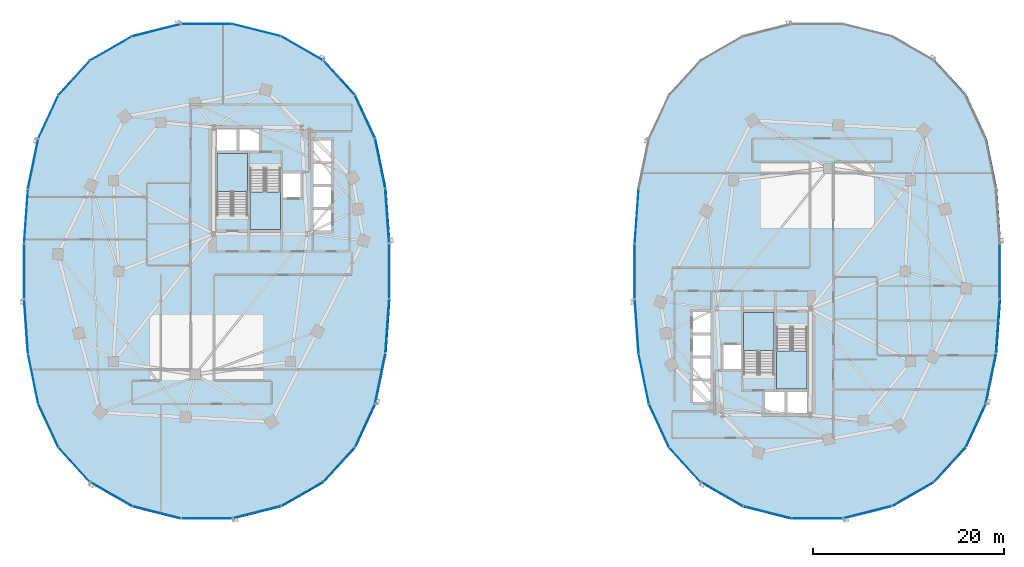
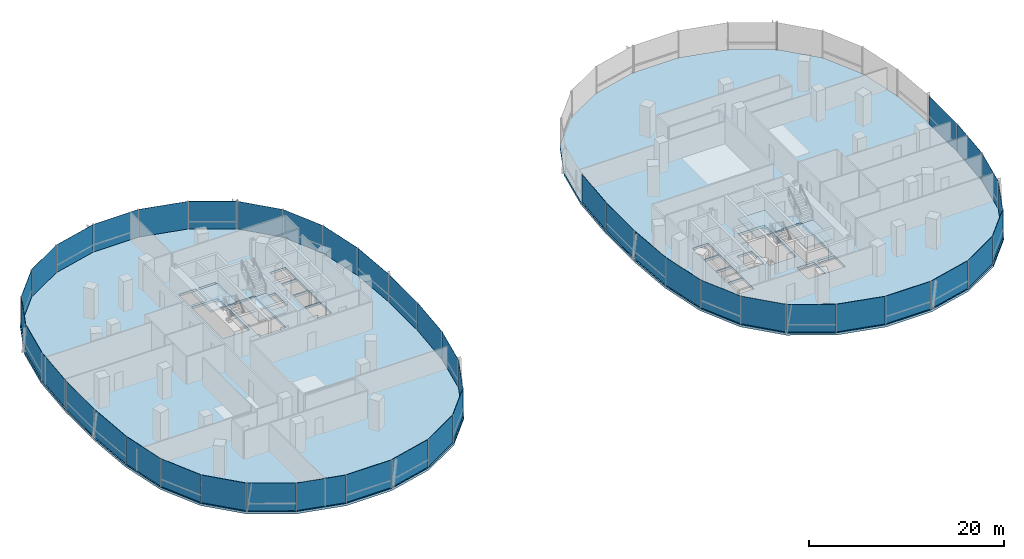
# One storey, part 9 of 21: 44 plates, 6 slabs, 11 elements without a shape of their own.
"""IFC4 building model written with IfcOpenShell, lengths in metres."""

from ifc_helpers import new_model, si_unit, direction, frame, origin, origin_2d, place, context, subcontext, project, spatial, polyline, rectangle, outline, extrude, material, layer, layer_set, type_object, element, aggregate, save


model = new_model("IFC4")

# Units and contexts
model_context = context("Model", 3, precision=1e-05, world=origin(), true_north=direction((0.0, 1.0)))
body_context = subcontext(model_context, "Body", "Model", "MODEL_VIEW")
ifc_project = project(units=[si_unit("LENGTHUNIT", "METRE"), si_unit("AREAUNIT", "SQUARE_METRE"), si_unit("VOLUMEUNIT", "CUBIC_METRE"), si_unit("PLANEANGLEUNIT", "RADIAN"), si_unit("MASSUNIT", "GRAM", prefix="KILO"), si_unit("THERMODYNAMICTEMPERATUREUNIT", "KELVIN"), si_unit("POWERUNIT", "WATT")], contexts=[model_context])

# Site, building, storey
site_placement = place(None, origin())
site = spatial("IfcSite", under=ifc_project, at=site_placement, CompositionType="ELEMENT")
building_placement = place(site_placement, origin())
building = spatial("IfcBuilding", under=site, at=building_placement, Name="Cundina Bronze Exchange", CompositionType="ELEMENT")
storey_placement = place(building_placement, frame((0.0, 0.0, 46.800048828125)))
storey = spatial("IfcBuildingStorey", under=building, at=storey_placement, Name="L11", CompositionType="ELEMENT", Elevation=46.800048828125)

# Curtain wall, plates
ifc_material_1 = material(Name="Anodised Bronze Aluminium 6063-T6", Category="aluminium")
curtain_wall_type = type_object("IfcCurtainWallType", Name="CWS-TRD-LOW", PredefinedType="NOTDEFINED", material=ifc_material_1)
curtain_wall_1_placement = place(storey_placement, origin())
curtain_wall_1 = element("IfcCurtainWall", 1, at=curtain_wall_1_placement, inside=storey, type_object=curtain_wall_type, Name="L11 CW-02 Curtain Wall Run CWR-L11-W1", PredefinedType="NOTDEFINED")
ifc_material_2 = material(Name="Heat-Strengthened Solar-Control Bronze Safety Glass 28mm", Category="glass")
ifc_layer_1 = layer(ifc_material_2, 0.028076171875, Name="Heat-Strengthened Solar-Control Bronze Safety Glass 28mm", Category="glass")
ifc_layer_set_1 = layer_set([ifc_layer_1], Name="Heat-Strengthened Solar-Control Bronze Safety Glass 28mm")
plate_type_1 = type_object("IfcPlateType", Name="PLT-GLZ-VIS28", PredefinedType="CURTAIN_PANEL", material=ifc_layer_set_1)
plate_1_placement = place(storey_placement, frame((-13.0732421875, 5.783935546875, 0.02001953125), z_axis=(0.0, 0.0, 1.0), x_axis=(-0.070278787473, 0.997527389113, 0.0)))
plate_1 = element("IfcPlate", 2, at=plate_1_placement, type_object=plate_type_1, Name="CW-02 Glazed Panel 1", PredefinedType="CURTAIN_PANEL", context=body_context, shape_type="SweptSolid", body=[
    extrude(rectangle(XDim=5.644287109375, YDim=0.028076171875, at=origin_2d()), origin(), (0.0, 0.0, 1.0), 3.4599609375),
])
plate_2_placement = place(storey_placement, frame((-13.81591796875, 11.269775390625, 0.02001953125), z_axis=(0.0, 0.0, 1.0), x_axis=(-0.201419845156, 0.979505000486, 0.0)))
plate_2 = element("IfcPlate", 3, at=plate_2_placement, type_object=plate_type_1, Name="CW-02 Glazed Panel 2", PredefinedType="CURTAIN_PANEL", context=body_context, shape_type="SweptSolid", body=[
    extrude(rectangle(XDim=5.306640625, YDim=0.028076171875, at=origin_2d()), origin(), (0.0, 0.0, 1.0), 3.4599609375),
])
plate_3_placement = place(storey_placement, frame((-15.413818359375, 16.177734375, 0.02001953125), z_axis=(0.0, 0.0, 1.0), x_axis=(-0.42084583328, 0.907132175932, 0.0)))
plate_3 = element("IfcPlate", 4, at=plate_3_placement, type_object=plate_type_1, Name="CW-02 Glazed Panel 3", PredefinedType="CURTAIN_PANEL", context=body_context, shape_type="SweptSolid", body=[
    extrude(rectangle(XDim=4.966552734375, YDim=0.028076171875, at=origin_2d()), origin(), (0.0, 0.0, 1.0), 3.4599609375),
])
plate_4_placement = place(storey_placement, frame((-21.980712890625, 23.34423828125, 0.02001953125), z_axis=(0.0, 0.0, 1.0), x_axis=(-0.867105478933, 0.498124571171, 0.0)))
plate_4 = element("IfcPlate", 5, at=plate_4_placement, type_object=plate_type_1, Name="CW-02 Glazed Panel 5", PredefinedType="CURTAIN_PANEL", context=body_context, shape_type="SweptSolid", body=[
    extrude(rectangle(XDim=5.021240234375, YDim=0.028076171875, at=origin_2d()), origin(), (0.0, 0.0, 1.0), 3.4599609375),
])
plate_5_placement = place(storey_placement, frame((-26.744384765625, 25.256591796875, 0.02001953125), z_axis=(0.0, 0.0, 1.0), x_axis=(-0.969488149345, 0.245138182011, 0.0)))
plate_5 = element("IfcPlate", 6, at=plate_5_placement, type_object=plate_type_1, Name="CW-02 Glazed Panel 6", PredefinedType="CURTAIN_PANEL", context=body_context, shape_type="SweptSolid", body=[
    extrude(rectangle(XDim=5.2333984375, YDim=0.028076171875, at=origin_2d()), origin(), (0.0, 0.0, 1.0), 3.4599609375),
])
plate_6_placement = place(storey_placement, frame((-32.0, 25.905029296875, 0.02001953125), z_axis=(0.0, 0.0, 1.0), x_axis=(-1.0, 0.0, 0.0)))
plate_6 = element("IfcPlate", 7, at=plate_6_placement, type_object=plate_type_1, Name="CW-02 Glazed Panel 7", PredefinedType="CURTAIN_PANEL", context=body_context, shape_type="SweptSolid", body=[
    extrude(rectangle(XDim=5.323974609375, YDim=0.028076171875, at=origin_2d()), origin(), (0.0, 0.0, 1.0), 3.4599609375),
])

curtain_wall_2_placement = place(storey_placement, origin())
curtain_wall_2 = element("IfcCurtainWall", 8, at=curtain_wall_2_placement, inside=storey, type_object=curtain_wall_type, Name="L11 CW-02 Curtain Wall Run CWR-L11-W2", PredefinedType="NOTDEFINED")
plate_7_placement = place(storey_placement, frame((-37.255615234375, 25.256591796875, 0.02001953125), z_axis=(0.0, 0.0, 1.0), x_axis=(-0.969488149345, -0.245138182011, 0.0)))
plate_7 = element("IfcPlate", 9, at=plate_7_placement, type_object=plate_type_1, Name="CW-02 Glazed Panel 1", PredefinedType="CURTAIN_PANEL", context=body_context, shape_type="SweptSolid", body=[
    extrude(rectangle(XDim=5.2333984375, YDim=0.028076171875, at=origin_2d()), origin(), (0.0, 0.0, 1.0), 3.4599609375),
])
plate_8_placement = place(storey_placement, frame((-42.019287109375, 23.34423828125, 0.02001953125), z_axis=(0.0, 0.0, 1.0), x_axis=(-0.867105478933, -0.498124571171, 0.0)))
plate_8 = element("IfcPlate", 10, at=plate_8_placement, type_object=plate_type_1, Name="CW-02 Glazed Panel 2", PredefinedType="CURTAIN_PANEL", context=body_context, shape_type="SweptSolid", body=[
    extrude(rectangle(XDim=5.021240234375, YDim=0.028076171875, at=origin_2d()), origin(), (0.0, 0.0, 1.0), 3.4599609375),
])
plate_9_placement = place(storey_placement, frame((-48.586181640625, 16.177734375, 0.02001953125), z_axis=(0.0, 0.0, 1.0), x_axis=(-0.42084583328, -0.907132175932, 0.0)))
plate_9 = element("IfcPlate", 11, at=plate_9_placement, type_object=plate_type_1, Name="CW-02 Glazed Panel 4", PredefinedType="CURTAIN_PANEL", context=body_context, shape_type="SweptSolid", body=[
    extrude(rectangle(XDim=4.966552734375, YDim=0.028076171875, at=origin_2d()), origin(), (0.0, 0.0, 1.0), 3.4599609375),
])
plate_10_placement = place(storey_placement, frame((-50.18408203125, 11.269775390625, 0.02001953125), z_axis=(0.0, 0.0, 1.0), x_axis=(-0.201419845156, -0.979505000486, 0.0)))
plate_10 = element("IfcPlate", 12, at=plate_10_placement, type_object=plate_type_1, Name="CW-02 Glazed Panel 5", PredefinedType="CURTAIN_PANEL", context=body_context, shape_type="SweptSolid", body=[
    extrude(rectangle(XDim=5.306640625, YDim=0.028076171875, at=origin_2d()), origin(), (0.0, 0.0, 1.0), 3.4599609375),
])
plate_11_placement = place(storey_placement, frame((-50.9267578125, 5.783935546875, 0.02001953125), z_axis=(0.0, 0.0, 1.0), x_axis=(-0.070278787473, -0.997527389113, 0.0)))
plate_11 = element("IfcPlate", 13, at=plate_11_placement, type_object=plate_type_1, Name="CW-02 Glazed Panel 6", PredefinedType="CURTAIN_PANEL", context=body_context, shape_type="SweptSolid", body=[
    extrude(rectangle(XDim=5.644287109375, YDim=0.028076171875, at=origin_2d()), origin(), (0.0, 0.0, 1.0), 3.4599609375),
])
plate_12_placement = place(storey_placement, frame((-51.1279296875, 0.0, 0.02001953125), z_axis=(0.0, 0.0, 1.0), x_axis=(0.0, -1.0, 0.0)))
plate_12 = element("IfcPlate", 14, at=plate_12_placement, type_object=plate_type_1, Name="CW-02 Glazed Panel 7", PredefinedType="CURTAIN_PANEL", context=body_context, shape_type="SweptSolid", body=[
    extrude(rectangle(XDim=5.77587890625, YDim=0.028076171875, at=origin_2d()), origin(), (0.0, 0.0, 1.0), 3.4599609375),
])

curtain_wall_3_placement = place(storey_placement, origin())
curtain_wall_3 = element("IfcCurtainWall", 15, at=curtain_wall_3_placement, inside=storey, type_object=curtain_wall_type, Name="L11 CW-02 Curtain Wall Run CWR-L11-W3", PredefinedType="NOTDEFINED")
plate_13_placement = place(storey_placement, frame((-50.9267578125, -5.783935546875, 0.02001953125), z_axis=(0.0, 0.0, 1.0), x_axis=(0.070278787473, -0.997527389113, 0.0)))
plate_13 = element("IfcPlate", 16, at=plate_13_placement, type_object=plate_type_1, Name="CW-02 Glazed Panel 1", PredefinedType="CURTAIN_PANEL", context=body_context, shape_type="SweptSolid", body=[
    extrude(rectangle(XDim=5.644287109375, YDim=0.028076171875, at=origin_2d()), origin(), (0.0, 0.0, 1.0), 3.4599609375),
])
plate_14_placement = place(storey_placement, frame((-48.586181640625, -16.177734375, 0.02001953125), z_axis=(0.0, 0.0, 1.0), x_axis=(0.42084583328, -0.907132175932, 0.0)))
plate_14 = element("IfcPlate", 17, at=plate_14_placement, type_object=plate_type_1, Name="CW-02 Glazed Panel 3", PredefinedType="CURTAIN_PANEL", context=body_context, shape_type="SweptSolid", body=[
    extrude(rectangle(XDim=4.966552734375, YDim=0.028076171875, at=origin_2d()), origin(), (0.0, 0.0, 1.0), 3.4599609375),
])
plate_15_placement = place(storey_placement, frame((-45.8740234375, -20.267333984375, 0.02001953125), z_axis=(0.0, 0.0, 1.0), x_axis=(0.674276610219, -0.73847887777, 0.0)))
plate_15 = element("IfcPlate", 18, at=plate_15_placement, type_object=plate_type_1, Name="CW-02 Glazed Panel 4", PredefinedType="CURTAIN_PANEL", context=body_context, shape_type="SweptSolid", body=[
    extrude(rectangle(XDim=4.86328125, YDim=0.028076171875, at=origin_2d()), origin(), (0.0, 0.0, 1.0), 3.4599609375),
])
plate_16_placement = place(storey_placement, frame((-42.019287109375, -23.34423828125, 0.02001953125), z_axis=(0.0, 0.0, 1.0), x_axis=(0.867105478933, -0.498124571171, 0.0)))
plate_16 = element("IfcPlate", 19, at=plate_16_placement, type_object=plate_type_1, Name="CW-02 Glazed Panel 5", PredefinedType="CURTAIN_PANEL", context=body_context, shape_type="SweptSolid", body=[
    extrude(rectangle(XDim=5.021240234375, YDim=0.028076171875, at=origin_2d()), origin(), (0.0, 0.0, 1.0), 3.4599609375),
])
plate_17_placement = place(storey_placement, frame((-37.255615234375, -25.256591796875, 0.02001953125), z_axis=(0.0, 0.0, 1.0), x_axis=(0.969488149345, -0.245138182011, 0.0)))
plate_17 = element("IfcPlate", 20, at=plate_17_placement, type_object=plate_type_1, Name="CW-02 Glazed Panel 6", PredefinedType="CURTAIN_PANEL", context=body_context, shape_type="SweptSolid", body=[
    extrude(rectangle(XDim=5.2333984375, YDim=0.028076171875, at=origin_2d()), origin(), (0.0, 0.0, 1.0), 3.4599609375),
])

curtain_wall_4_placement = place(storey_placement, origin())
curtain_wall_4 = element("IfcCurtainWall", 21, at=curtain_wall_4_placement, inside=storey, type_object=curtain_wall_type, Name="L11 CW-02 Curtain Wall Run CWR-L11-W4", PredefinedType="NOTDEFINED")
plate_18_placement = place(storey_placement, frame((-21.980712890625, -23.34423828125, 0.02001953125), z_axis=(0.0, 0.0, 1.0), x_axis=(0.867105478933, 0.498124571171, 0.0)))
plate_18 = element("IfcPlate", 22, at=plate_18_placement, type_object=plate_type_1, Name="CW-02 Glazed Panel 2", PredefinedType="CURTAIN_PANEL", context=body_context, shape_type="SweptSolid", body=[
    extrude(rectangle(XDim=5.021240234375, YDim=0.028076171875, at=origin_2d()), origin(), (0.0, 0.0, 1.0), 3.4599609375),
])
plate_19_placement = place(storey_placement, frame((-18.1259765625, -20.267333984375, 0.02001953125), z_axis=(0.0, 0.0, 1.0), x_axis=(0.674276610219, 0.73847887777, 0.0)))
plate_19 = element("IfcPlate", 23, at=plate_19_placement, type_object=plate_type_1, Name="CW-02 Glazed Panel 3", PredefinedType="CURTAIN_PANEL", context=body_context, shape_type="SweptSolid", body=[
    extrude(rectangle(XDim=4.86328125, YDim=0.028076171875, at=origin_2d()), origin(), (0.0, 0.0, 1.0), 3.4599609375),
])
plate_20_placement = place(storey_placement, frame((-15.413818359375, -16.177734375, 0.02001953125), z_axis=(0.0, 0.0, 1.0), x_axis=(0.42084583328, 0.907132175932, 0.0)))
plate_20 = element("IfcPlate", 24, at=plate_20_placement, type_object=plate_type_1, Name="CW-02 Glazed Panel 4", PredefinedType="CURTAIN_PANEL", context=body_context, shape_type="SweptSolid", body=[
    extrude(rectangle(XDim=4.966552734375, YDim=0.028076171875, at=origin_2d()), origin(), (0.0, 0.0, 1.0), 3.4599609375),
])
plate_21_placement = place(storey_placement, frame((-13.81591796875, -11.269775390625, 0.02001953125), z_axis=(0.0, 0.0, 1.0), x_axis=(0.201419845156, 0.979505000486, 0.0)))
plate_21 = element("IfcPlate", 25, at=plate_21_placement, type_object=plate_type_1, Name="CW-02 Glazed Panel 5", PredefinedType="CURTAIN_PANEL", context=body_context, shape_type="SweptSolid", body=[
    extrude(rectangle(XDim=5.306640625, YDim=0.028076171875, at=origin_2d()), origin(), (0.0, 0.0, 1.0), 3.4599609375),
])
plate_22_placement = place(storey_placement, frame((-12.8720703125, 0.0, 0.02001953125), z_axis=(0.0, 0.0, 1.0), x_axis=(0.0, 1.0, 0.0)))
plate_22 = element("IfcPlate", 26, at=plate_22_placement, type_object=plate_type_1, Name="CW-02 Glazed Panel 7", PredefinedType="CURTAIN_PANEL", context=body_context, shape_type="SweptSolid", body=[
    extrude(rectangle(XDim=5.77587890625, YDim=0.028076171875, at=origin_2d()), origin(), (0.0, 0.0, 1.0), 3.4599609375),
])

curtain_wall_5_placement = place(storey_placement, origin())
curtain_wall_5 = element("IfcCurtainWall", 27, at=curtain_wall_5_placement, inside=storey, type_object=curtain_wall_type, Name="L11 CW-02 Curtain Wall Run CWR-L11-E2", PredefinedType="NOTDEFINED")
plate_23_placement = place(storey_placement, frame((13.0732421875, 5.783935546875, 0.02001953125), z_axis=(0.0, 0.0, 1.0), x_axis=(-0.070278787473, -0.997527389113, 0.0)))
plate_23 = element("IfcPlate", 28, at=plate_23_placement, type_object=plate_type_1, Name="CW-02 Glazed Panel 6", PredefinedType="CURTAIN_PANEL", context=body_context, shape_type="SweptSolid", body=[
    extrude(rectangle(XDim=5.644287109375, YDim=0.028076171875, at=origin_2d()), origin(), (0.0, 0.0, 1.0), 3.4599609375),
])
plate_24_placement = place(storey_placement, frame((12.8720703125, 0.0, 0.02001953125), z_axis=(0.0, 0.0, 1.0), x_axis=(0.0, -1.0, 0.0)))
plate_24 = element("IfcPlate", 29, at=plate_24_placement, type_object=plate_type_1, Name="CW-02 Glazed Panel 7", PredefinedType="CURTAIN_PANEL", context=body_context, shape_type="SweptSolid", body=[
    extrude(rectangle(XDim=5.77587890625, YDim=0.028076171875, at=origin_2d()), origin(), (0.0, 0.0, 1.0), 3.4599609375),
])
aggregate(curtain_wall_5, [plate_23, plate_24])

curtain_wall_6_placement = place(storey_placement, origin())
curtain_wall_6 = element("IfcCurtainWall", 30, at=curtain_wall_6_placement, inside=storey, type_object=curtain_wall_type, Name="L11 CW-02 Curtain Wall Run CWR-L11-E3", PredefinedType="NOTDEFINED")
plate_25_placement = place(storey_placement, frame((13.0732421875, -5.783935546875, 0.02001953125), z_axis=(0.0, 0.0, 1.0), x_axis=(0.070278787473, -0.997527389113, 0.0)))
plate_25 = element("IfcPlate", 31, at=plate_25_placement, type_object=plate_type_1, Name="CW-02 Glazed Panel 1", PredefinedType="CURTAIN_PANEL", context=body_context, shape_type="SweptSolid", body=[
    extrude(rectangle(XDim=5.644287109375, YDim=0.028076171875, at=origin_2d()), origin(), (0.0, 0.0, 1.0), 3.4599609375),
])
plate_26_placement = place(storey_placement, frame((15.413818359375, -16.177734375, 0.02001953125), z_axis=(0.0, 0.0, 1.0), x_axis=(0.42084583328, -0.907132175932, 0.0)))
plate_26 = element("IfcPlate", 32, at=plate_26_placement, type_object=plate_type_1, Name="CW-02 Glazed Panel 3", PredefinedType="CURTAIN_PANEL", context=body_context, shape_type="SweptSolid", body=[
    extrude(rectangle(XDim=4.966552734375, YDim=0.028076171875, at=origin_2d()), origin(), (0.0, 0.0, 1.0), 3.4599609375),
])
plate_27_placement = place(storey_placement, frame((18.1259765625, -20.267333984375, 0.02001953125), z_axis=(0.0, 0.0, 1.0), x_axis=(0.674276610219, -0.73847887777, 0.0)))
plate_27 = element("IfcPlate", 33, at=plate_27_placement, type_object=plate_type_1, Name="CW-02 Glazed Panel 4", PredefinedType="CURTAIN_PANEL", context=body_context, shape_type="SweptSolid", body=[
    extrude(rectangle(XDim=4.86328125, YDim=0.028076171875, at=origin_2d()), origin(), (0.0, 0.0, 1.0), 3.4599609375),
])
plate_28_placement = place(storey_placement, frame((21.980712890625, -23.34423828125, 0.02001953125), z_axis=(0.0, 0.0, 1.0), x_axis=(0.867105478933, -0.498124571171, 0.0)))
plate_28 = element("IfcPlate", 34, at=plate_28_placement, type_object=plate_type_1, Name="CW-02 Glazed Panel 5", PredefinedType="CURTAIN_PANEL", context=body_context, shape_type="SweptSolid", body=[
    extrude(rectangle(XDim=5.021240234375, YDim=0.028076171875, at=origin_2d()), origin(), (0.0, 0.0, 1.0), 3.4599609375),
])
plate_29_placement = place(storey_placement, frame((26.744384765625, -25.256591796875, 0.02001953125), z_axis=(0.0, 0.0, 1.0), x_axis=(0.969488149345, -0.245138182011, 0.0)))
plate_29 = element("IfcPlate", 35, at=plate_29_placement, type_object=plate_type_1, Name="CW-02 Glazed Panel 6", PredefinedType="CURTAIN_PANEL", context=body_context, shape_type="SweptSolid", body=[
    extrude(rectangle(XDim=5.2333984375, YDim=0.028076171875, at=origin_2d()), origin(), (0.0, 0.0, 1.0), 3.4599609375),
])

curtain_wall_7_placement = place(storey_placement, origin())
curtain_wall_7 = element("IfcCurtainWall", 36, at=curtain_wall_7_placement, inside=storey, type_object=curtain_wall_type, Name="L11 CW-02 Curtain Wall Run CWR-L11-E4", PredefinedType="NOTDEFINED")
plate_30_placement = place(storey_placement, frame((42.019287109375, -23.34423828125, 0.02001953125), z_axis=(0.0, 0.0, 1.0), x_axis=(0.867105478933, 0.498124571171, 0.0)))
plate_30 = element("IfcPlate", 37, at=plate_30_placement, type_object=plate_type_1, Name="CW-02 Glazed Panel 2", PredefinedType="CURTAIN_PANEL", context=body_context, shape_type="SweptSolid", body=[
    extrude(rectangle(XDim=5.021240234375, YDim=0.028076171875, at=origin_2d()), origin(), (0.0, 0.0, 1.0), 3.4599609375),
])
plate_31_placement = place(storey_placement, frame((45.8740234375, -20.267333984375, 0.02001953125), z_axis=(0.0, 0.0, 1.0), x_axis=(0.674276610219, 0.73847887777, 0.0)))
plate_31 = element("IfcPlate", 38, at=plate_31_placement, type_object=plate_type_1, Name="CW-02 Glazed Panel 3", PredefinedType="CURTAIN_PANEL", context=body_context, shape_type="SweptSolid", body=[
    extrude(rectangle(XDim=4.86328125, YDim=0.028076171875, at=origin_2d()), origin(), (0.0, 0.0, 1.0), 3.4599609375),
])
plate_32_placement = place(storey_placement, frame((48.586181640625, -16.177734375, 0.02001953125), z_axis=(0.0, 0.0, 1.0), x_axis=(0.42084583328, 0.907132175932, 0.0)))
plate_32 = element("IfcPlate", 39, at=plate_32_placement, type_object=plate_type_1, Name="CW-02 Glazed Panel 4", PredefinedType="CURTAIN_PANEL", context=body_context, shape_type="SweptSolid", body=[
    extrude(rectangle(XDim=4.966552734375, YDim=0.028076171875, at=origin_2d()), origin(), (0.0, 0.0, 1.0), 3.4599609375),
])
plate_33_placement = place(storey_placement, frame((50.18408203125, -11.269775390625, 0.02001953125), z_axis=(0.0, 0.0, 1.0), x_axis=(0.201419845156, 0.979505000486, 0.0)))
plate_33 = element("IfcPlate", 40, at=plate_33_placement, type_object=plate_type_1, Name="CW-02 Glazed Panel 5", PredefinedType="CURTAIN_PANEL", context=body_context, shape_type="SweptSolid", body=[
    extrude(rectangle(XDim=5.306640625, YDim=0.028076171875, at=origin_2d()), origin(), (0.0, 0.0, 1.0), 3.4599609375),
])
plate_34_placement = place(storey_placement, frame((51.1279296875, 0.0, 0.02001953125), z_axis=(0.0, 0.0, 1.0), x_axis=(0.0, 1.0, 0.0)))
plate_34 = element("IfcPlate", 41, at=plate_34_placement, type_object=plate_type_1, Name="CW-02 Glazed Panel 7", PredefinedType="CURTAIN_PANEL", context=body_context, shape_type="SweptSolid", body=[
    extrude(rectangle(XDim=5.77587890625, YDim=0.028076171875, at=origin_2d()), origin(), (0.0, 0.0, 1.0), 3.4599609375),
])

# Plate
ifc_material_3 = material(Name="Dark Bronze Spandrel Glass Panel 32mm", Category="glass")
ifc_layer_2 = layer(ifc_material_3, 0.031982421875, Name="Dark Bronze Spandrel Glass Panel 32mm", Category="glass")
ifc_layer_set_2 = layer_set([ifc_layer_2], Name="Dark Bronze Spandrel Glass Panel 32mm")
plate_type_2 = type_object("IfcPlateType", Name="PLT-SPN-BRZ32", PredefinedType="CURTAIN_PANEL", material=ifc_layer_set_2)
plate_35_placement = place(storey_placement, frame((-18.1259765625, 20.267333984375, 0.02001953125), z_axis=(0.0, 0.0, 1.0), x_axis=(-0.674276610219, 0.73847887777, 0.0)))
plate_35 = element("IfcPlate", 42, at=plate_35_placement, type_object=plate_type_2, Name="CW-02 Glazed Panel 4", PredefinedType="CURTAIN_PANEL", context=body_context, shape_type="SweptSolid", body=[
    extrude(rectangle(XDim=4.86328125, YDim=0.031982421875, at=origin_2d()), origin(), (0.0, 0.0, 1.0), 3.4599609375),
])

aggregate(curtain_wall_1, [plate_1, plate_2, plate_3, plate_35, plate_4, plate_5, plate_6])

plate_36_placement = place(storey_placement, frame((-45.8740234375, 20.267333984375, 0.02001953125), z_axis=(0.0, 0.0, 1.0), x_axis=(-0.674276610219, -0.73847887777, 0.0)))
plate_36 = element("IfcPlate", 43, at=plate_36_placement, type_object=plate_type_2, Name="CW-02 Glazed Panel 3", PredefinedType="CURTAIN_PANEL", context=body_context, shape_type="SweptSolid", body=[
    extrude(rectangle(XDim=4.86328125, YDim=0.031982421875, at=origin_2d()), origin(), (0.0, 0.0, 1.0), 3.4599609375),
])

aggregate(curtain_wall_2, [plate_7, plate_8, plate_36, plate_9, plate_10, plate_11, plate_12])

plate_37_placement = place(storey_placement, frame((-50.18408203125, -11.269775390625, 0.02001953125), z_axis=(0.0, 0.0, 1.0), x_axis=(0.201419845156, -0.979505000486, 0.0)))
plate_37 = element("IfcPlate", 44, at=plate_37_placement, type_object=plate_type_2, Name="CW-02 Glazed Panel 2", PredefinedType="CURTAIN_PANEL", context=body_context, shape_type="SweptSolid", body=[
    extrude(rectangle(XDim=5.306640625, YDim=0.031982421875, at=origin_2d()), origin(), (0.0, 0.0, 1.0), 3.4599609375),
])

plate_38_placement = place(storey_placement, frame((-32.0, -25.905029296875, 0.02001953125), z_axis=(0.0, 0.0, 1.0), x_axis=(1.0, 0.0, 0.0)))
plate_38 = element("IfcPlate", 45, at=plate_38_placement, type_object=plate_type_2, Name="CW-02 Glazed Panel 7", PredefinedType="CURTAIN_PANEL", context=body_context, shape_type="SweptSolid", body=[
    extrude(rectangle(XDim=5.323974609375, YDim=0.031982421875, at=origin_2d()), origin(), (0.0, 0.0, 1.0), 3.4599609375),
])

aggregate(curtain_wall_3, [plate_13, plate_37, plate_14, plate_15, plate_16, plate_17, plate_38])

plate_39_placement = place(storey_placement, frame((-26.744384765625, -25.256591796875, 0.02001953125), z_axis=(0.0, 0.0, 1.0), x_axis=(0.969488149345, 0.245138182011, 0.0)))
plate_39 = element("IfcPlate", 46, at=plate_39_placement, type_object=plate_type_2, Name="CW-02 Glazed Panel 1", PredefinedType="CURTAIN_PANEL", context=body_context, shape_type="SweptSolid", body=[
    extrude(rectangle(XDim=5.2333984375, YDim=0.031982421875, at=origin_2d()), origin(), (0.0, 0.0, 1.0), 3.4599609375),
])

plate_40_placement = place(storey_placement, frame((-13.0732421875, -5.783935546875, 0.02001953125), z_axis=(0.0, 0.0, 1.0), x_axis=(0.070278787473, 0.997527389113, 0.0)))
plate_40 = element("IfcPlate", 47, at=plate_40_placement, type_object=plate_type_2, Name="CW-02 Glazed Panel 6", PredefinedType="CURTAIN_PANEL", context=body_context, shape_type="SweptSolid", body=[
    extrude(rectangle(XDim=5.644287109375, YDim=0.031982421875, at=origin_2d()), origin(), (0.0, 0.0, 1.0), 3.4599609375),
])

aggregate(curtain_wall_4, [plate_39, plate_18, plate_19, plate_20, plate_21, plate_40, plate_22])

plate_41_placement = place(storey_placement, frame((13.81591796875, -11.269775390625, 0.02001953125), z_axis=(0.0, 0.0, 1.0), x_axis=(0.201419845156, -0.979505000486, 0.0)))
plate_41 = element("IfcPlate", 48, at=plate_41_placement, type_object=plate_type_2, Name="CW-02 Glazed Panel 2", PredefinedType="CURTAIN_PANEL", context=body_context, shape_type="SweptSolid", body=[
    extrude(rectangle(XDim=5.306640625, YDim=0.031982421875, at=origin_2d()), origin(), (0.0, 0.0, 1.0), 3.4599609375),
])

plate_42_placement = place(storey_placement, frame((32.0, -25.905029296875, 0.02001953125), z_axis=(0.0, 0.0, 1.0), x_axis=(1.0, 0.0, 0.0)))
plate_42 = element("IfcPlate", 49, at=plate_42_placement, type_object=plate_type_2, Name="CW-02 Glazed Panel 7", PredefinedType="CURTAIN_PANEL", context=body_context, shape_type="SweptSolid", body=[
    extrude(rectangle(XDim=5.323974609375, YDim=0.031982421875, at=origin_2d()), origin(), (0.0, 0.0, 1.0), 3.4599609375),
])

aggregate(curtain_wall_6, [plate_25, plate_41, plate_26, plate_27, plate_28, plate_29, plate_42])

plate_43_placement = place(storey_placement, frame((37.255615234375, -25.256591796875, 0.02001953125), z_axis=(0.0, 0.0, 1.0), x_axis=(0.969488149345, 0.245138182011, 0.0)))
plate_43 = element("IfcPlate", 50, at=plate_43_placement, type_object=plate_type_2, Name="CW-02 Glazed Panel 1", PredefinedType="CURTAIN_PANEL", context=body_context, shape_type="SweptSolid", body=[
    extrude(rectangle(XDim=5.2333984375, YDim=0.031982421875, at=origin_2d()), origin(), (0.0, 0.0, 1.0), 3.4599609375),
])

plate_44_placement = place(storey_placement, frame((50.9267578125, -5.783935546875, 0.02001953125), z_axis=(0.0, 0.0, 1.0), x_axis=(0.070278787473, 0.997527389113, 0.0)))
plate_44 = element("IfcPlate", 51, at=plate_44_placement, type_object=plate_type_2, Name="CW-02 Glazed Panel 6", PredefinedType="CURTAIN_PANEL", context=body_context, shape_type="SweptSolid", body=[
    extrude(rectangle(XDim=5.644287109375, YDim=0.031982421875, at=origin_2d()), origin(), (0.0, 0.0, 1.0), 3.4599609375),
])

aggregate(curtain_wall_7, [plate_43, plate_30, plate_31, plate_32, plate_33, plate_44, plate_34])

# Stair, slab
ifc_material_4 = material(Name="Concrete C40/50", Category="concrete")
stair_type = type_object("IfcStairType", Name="STR-TRD-380", PredefinedType="HALF_TURN_STAIR", material=ifc_material_4)
stair_1_placement = place(storey_placement, origin())
stair_1 = element("IfcStair", 52, at=stair_1_placement, inside=storey, type_object=stair_type, Name="L11 Smokeproof Exit Stair W1", PredefinedType="HALF_TURN_STAIR")
ifc_layer_3 = layer(ifc_material_4, 0.199951171875, Name="Concrete C40/50", Category="concrete")
ifc_layer_set_3 = layer_set([ifc_layer_3], Name="Concrete C40/50")
slab_type_1 = type_object("IfcSlabType", Name="SLB-LND-200", PredefinedType="LANDING", material=ifc_layer_set_3)
slab_1_placement = place(storey_placement, frame((0.0, 0.0, 1.699951171875)))
slab_1 = element("IfcSlab", 53, at=slab_1_placement, type_object=slab_type_1, Name="ST-W1 landing 1", PredefinedType="LANDING", context=body_context, shape_type="SweptSolid", body=[
    extrude(outline(polyline([(-27.739990234375, 8.3701171875), (-27.739990234375, 12.35009765625), (-30.89990234375, 12.35009765625), (-30.89990234375, 8.3701171875), (-27.739990234375, 8.3701171875)])), origin(), (0.0, 0.0, 1.0), 0.199951171875),
])
aggregate(stair_1, [slab_1])

stair_2_placement = place(storey_placement, origin())
stair_2 = element("IfcStair", 54, at=stair_2_placement, inside=storey, type_object=stair_type, Name="L11 Smokeproof Exit Stair W2", PredefinedType="HALF_TURN_STAIR")
slab_2_placement = place(storey_placement, frame((0.0, 0.0, 1.699951171875)))
slab_2 = element("IfcSlab", 55, at=slab_2_placement, type_object=slab_type_1, Name="ST-W2 landing 1", PredefinedType="LANDING", context=body_context, shape_type="SweptSolid", body=[
    extrude(outline(polyline([(-27.43994140625, 8.330078125), (-27.43994140625, 4.35009765625), (-24.280029296875, 4.35009765625), (-24.280029296875, 8.330078125), (-27.43994140625, 8.330078125)])), origin(), (0.0, 0.0, 1.0), 0.199951171875),
])
aggregate(stair_2, [slab_2])

stair_3_placement = place(storey_placement, origin())
stair_3 = element("IfcStair", 56, at=stair_3_placement, inside=storey, type_object=stair_type, Name="L11 Smokeproof Exit Stair E1", PredefinedType="HALF_TURN_STAIR")
slab_3_placement = place(storey_placement, frame((0.0, 0.0, 1.699951171875)))
slab_3 = element("IfcSlab", 57, at=slab_3_placement, type_object=slab_type_1, Name="ST-E1 landing 1", PredefinedType="LANDING", context=body_context, shape_type="SweptSolid", body=[
    extrude(outline(polyline([(27.739990234375, -8.3701171875), (27.739990234375, -12.35009765625), (30.89990234375, -12.35009765625), (30.89990234375, -8.3701171875), (27.739990234375, -8.3701171875)])), origin(), (0.0, 0.0, 1.0), 0.199951171875),
])
aggregate(stair_3, [slab_3])

stair_4_placement = place(storey_placement, origin())
stair_4 = element("IfcStair", 58, at=stair_4_placement, inside=storey, type_object=stair_type, Name="L11 Smokeproof Exit Stair E2", PredefinedType="HALF_TURN_STAIR")
slab_4_placement = place(storey_placement, frame((0.0, 0.0, 1.699951171875)))
slab_4 = element("IfcSlab", 59, at=slab_4_placement, type_object=slab_type_1, Name="ST-E2 landing 1", PredefinedType="LANDING", context=body_context, shape_type="SweptSolid", body=[
    extrude(outline(polyline([(27.43994140625, -8.330078125), (27.43994140625, -4.35009765625), (24.280029296875, -4.35009765625), (24.280029296875, -8.330078125), (27.43994140625, -8.330078125)])), origin(), (0.0, 0.0, 1.0), 0.199951171875),
])
aggregate(stair_4, [slab_4])

# Slabs
ifc_material_5 = material(Name="Concrete C50/60", Category="concrete")
ifc_layer_4 = layer(ifc_material_5, 0.300048828125, Name="Concrete C50/60", Category="concrete")
ifc_layer_set_4 = layer_set([ifc_layer_4], Name="Concrete C50/60")
slab_type_2 = type_object("IfcSlabType", Name="SLB-TRD-300", PredefinedType="FLOOR", material=ifc_layer_set_4)
slab_5_placement = place(storey_placement, frame((0.0, 0.0, -0.300048828125)))
element("IfcSlab", 60, at=slab_5_placement, inside=storey, type_object=slab_type_2, Name="L11 Leg W Structural Floor Slab", PredefinedType="FLOOR", context=body_context, shape_type="SweptSolid", body=[
    extrude(outline(polyline([(-12.741943359375, 2.93310546875), (-13.14501953125, 8.653076171875), (-14.23193359375, 13.93896484375), (-16.360107421875, 18.52587890625), (-19.699951171875, 22.18408203125), (-24.132080078125, 24.72998046875), (-29.29296875, 26.034912109375), (-34.70703125, 26.034912109375), (-39.867919921875, 24.72998046875), (-44.300048828125, 22.18408203125), (-47.639892578125, 18.52587890625), (-49.76806640625, 13.93896484375), (-50.85498046875, 8.653076171875), (-51.258056640625, 2.93310546875), (-51.258056640625, -2.93310546875), (-50.85498046875, -8.653076171875), (-49.76806640625, -13.93896484375), (-47.639892578125, -18.52587890625), (-44.300048828125, -22.18408203125), (-39.867919921875, -24.72998046875), (-34.70703125, -26.034912109375), (-29.29296875, -26.034912109375), (-24.132080078125, -24.72998046875), (-19.699951171875, -22.18408203125), (-16.360107421875, -18.52587890625), (-14.23193359375, -13.93896484375), (-13.14501953125, -8.653076171875), (-12.741943359375, -2.93310546875), (-12.741943359375, 2.93310546875)]), holes=[polyline([(-27.739990234375, 5.85009765625), (-27.739990234375, 12.35009765625), (-30.89990234375, 12.35009765625), (-30.89990234375, 5.85009765625), (-27.739990234375, 5.85009765625)]), polyline([(-27.43994140625, 10.85009765625), (-27.43994140625, 4.35009765625), (-24.280029296875, 4.35009765625), (-24.280029296875, 10.85009765625), (-27.43994140625, 10.85009765625)]), polyline([(-23.97998046875, 10.25), (-22.179931640625, 10.25), (-22.179931640625, 7.75), (-23.97998046875, 7.75), (-23.97998046875, 10.25)]), polyline([(-30.89990234375, 14.949951171875), (-28.85009765625, 14.949951171875), (-28.85009765625, 12.64990234375), (-30.89990234375, 12.64990234375), (-30.89990234375, 14.949951171875)]), polyline([(-28.550048828125, 14.949951171875), (-26.5, 14.949951171875), (-26.5, 12.64990234375), (-28.550048828125, 12.64990234375), (-28.550048828125, 14.949951171875)]), polyline([(-20.800048828125, 13.699951171875), (-18.949951171875, 13.699951171875), (-18.949951171875, 11.449951171875), (-20.800048828125, 11.449951171875), (-20.800048828125, 13.699951171875)]), polyline([(-20.800048828125, 11.300048828125), (-18.949951171875, 11.300048828125), (-18.949951171875, 9.050048828125), (-20.800048828125, 9.050048828125), (-20.800048828125, 11.300048828125)]), polyline([(-20.800048828125, 8.89990234375), (-18.949951171875, 8.89990234375), (-18.949951171875, 6.64990234375), (-20.800048828125, 6.64990234375), (-20.800048828125, 8.89990234375)]), polyline([(-20.800048828125, 6.5), (-18.949951171875, 6.5), (-18.949951171875, 4.25), (-20.800048828125, 4.25), (-20.800048828125, 6.5)])]), origin(), (0.0, 0.0, 1.0), 0.300048828125),
])
slab_6_placement = place(storey_placement, frame((0.0, 0.0, -0.300048828125)))
element("IfcSlab", 61, at=slab_6_placement, inside=storey, type_object=slab_type_2, Name="L11 Leg E Structural Floor Slab", PredefinedType="FLOOR", context=body_context, shape_type="SweptSolid", body=[
    extrude(outline(polyline([(51.258056640625, 2.93310546875), (50.85498046875, 8.653076171875), (49.76806640625, 13.93896484375), (47.639892578125, 18.52587890625), (44.300048828125, 22.18408203125), (39.867919921875, 24.72998046875), (34.70703125, 26.034912109375), (29.29296875, 26.034912109375), (24.132080078125, 24.72998046875), (19.699951171875, 22.18408203125), (16.360107421875, 18.52587890625), (14.23193359375, 13.93896484375), (13.14501953125, 8.653076171875), (12.741943359375, 2.93310546875), (12.741943359375, -2.93310546875), (13.14501953125, -8.653076171875), (14.23193359375, -13.93896484375), (16.360107421875, -18.52587890625), (19.699951171875, -22.18408203125), (24.132080078125, -24.72998046875), (29.29296875, -26.034912109375), (34.70703125, -26.034912109375), (39.867919921875, -24.72998046875), (44.300048828125, -22.18408203125), (47.639892578125, -18.52587890625), (49.76806640625, -13.93896484375), (50.85498046875, -8.653076171875), (51.258056640625, -2.93310546875), (51.258056640625, 2.93310546875)]), holes=[polyline([(27.739990234375, -5.85009765625), (27.739990234375, -12.35009765625), (30.89990234375, -12.35009765625), (30.89990234375, -5.85009765625), (27.739990234375, -5.85009765625)]), polyline([(27.43994140625, -10.85009765625), (27.43994140625, -4.35009765625), (24.280029296875, -4.35009765625), (24.280029296875, -10.85009765625), (27.43994140625, -10.85009765625)]), polyline([(22.179931640625, -7.75), (23.97998046875, -7.75), (23.97998046875, -10.25), (22.179931640625, -10.25), (22.179931640625, -7.75)]), polyline([(28.85009765625, -12.64990234375), (30.89990234375, -12.64990234375), (30.89990234375, -14.949951171875), (28.85009765625, -14.949951171875), (28.85009765625, -12.64990234375)]), polyline([(26.5, -12.64990234375), (28.550048828125, -12.64990234375), (28.550048828125, -14.949951171875), (26.5, -14.949951171875), (26.5, -12.64990234375)]), polyline([(18.949951171875, -11.449951171875), (20.800048828125, -11.449951171875), (20.800048828125, -13.699951171875), (18.949951171875, -13.699951171875), (18.949951171875, -11.449951171875)]), polyline([(18.949951171875, -9.050048828125), (20.800048828125, -9.050048828125), (20.800048828125, -11.300048828125), (18.949951171875, -11.300048828125), (18.949951171875, -9.050048828125)]), polyline([(18.949951171875, -6.64990234375), (20.800048828125, -6.64990234375), (20.800048828125, -8.89990234375), (18.949951171875, -8.89990234375), (18.949951171875, -6.64990234375)]), polyline([(18.949951171875, -4.25), (20.800048828125, -4.25), (20.800048828125, -6.5), (18.949951171875, -6.5), (18.949951171875, -4.25)])]), origin(), (0.0, 0.0, 1.0), 0.300048828125),
])

save(model, "model.ifc")
